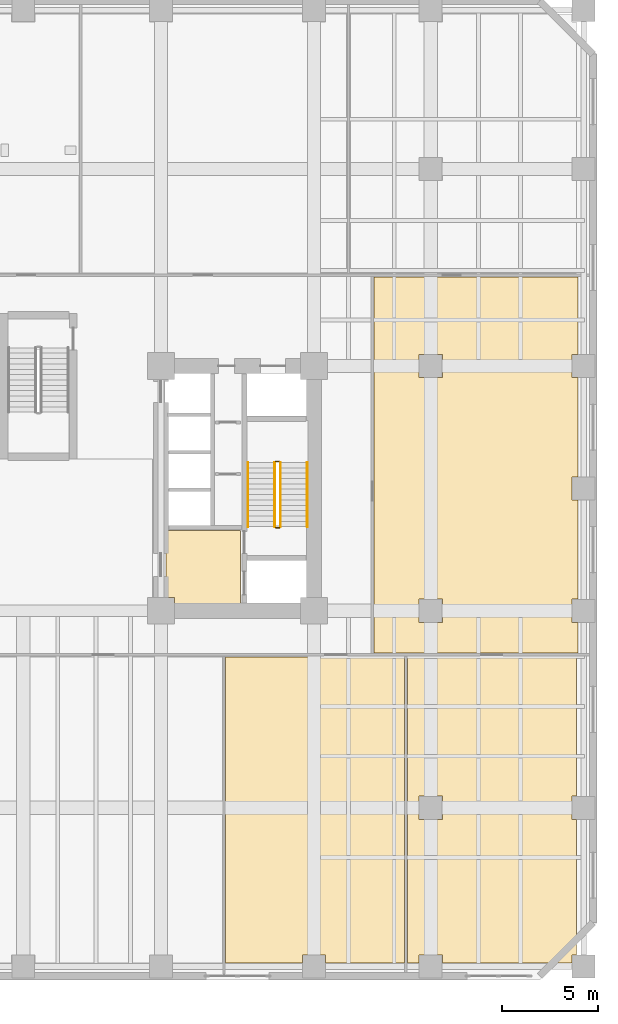
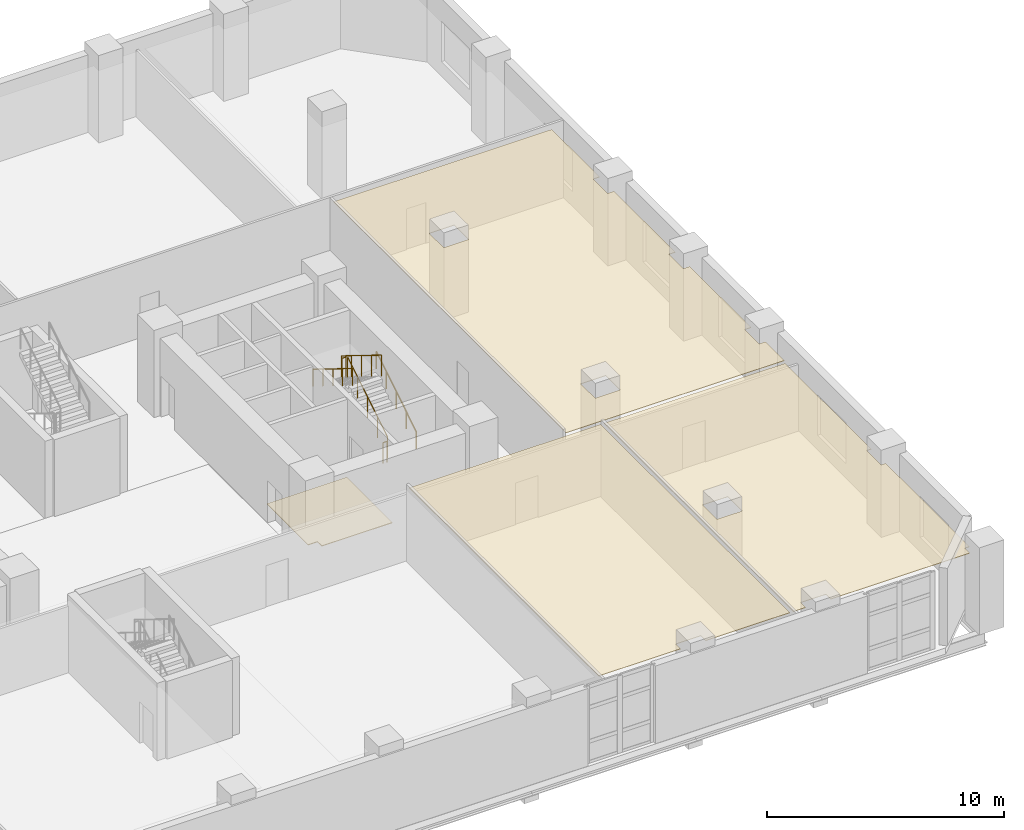
# One storey, part 12 of 15: 6 railings, 4 coverings.
"""IFC4 building model written with IfcOpenShell, lengths in metres."""

from ifc_helpers import new_model, si_unit, direction, frame, origin, origin_2d, place, context, subcontext, project, spatial, polyline, circle, outline, extrude, material, layer, layer_set, type_object, element, save


model = new_model("IFC4")

# Units and contexts
model_context = context("Model", 3, precision=1e-05, world=origin(), true_north=direction((0.0, 1.0)))
body_context = subcontext(model_context, "Body", "Model", "MODEL_VIEW")
ifc_project = project(units=[si_unit("LENGTHUNIT", "METRE"), si_unit("AREAUNIT", "SQUARE_METRE"), si_unit("VOLUMEUNIT", "CUBIC_METRE"), si_unit("PLANEANGLEUNIT", "RADIAN"), si_unit("MASSUNIT", "GRAM", prefix="KILO")], contexts=[model_context])

# Site, building, storey
site_placement = place(None, origin())
site = spatial("IfcSite", under=ifc_project, at=site_placement, CompositionType="ELEMENT")
building_placement = place(site_placement, origin())
building = spatial("IfcBuilding", under=site, at=building_placement, Name="Kranthara Brick Stack", CompositionType="ELEMENT")
storey_placement = place(building_placement, frame((0.0, 0.0, 14.39990234375)))
storey = spatial("IfcBuildingStorey", under=building, at=storey_placement, Name="L03", CompositionType="ELEMENT", Elevation=14.39990234375)

# Coverings
ifc_material_1 = material(Name="Perforated mineral-fibre acoustic ceiling tile", Category="other")
ifc_layer_1 = layer(ifc_material_1, 0.02490234375)
ifc_layer_set_1 = layer_set([ifc_layer_1], Name="Perforated mineral-fibre acoustic ceiling tile")
covering_type_1 = type_object("IfcCoveringType", Name="COV-CEIL-ACOUSTIC", PredefinedType="CEILING", material=ifc_layer_set_1)
covering_1_placement = place(storey_placement, frame((0.0, 0.0, 3.72998046875)))
element("IfcCovering", 1, at=covering_1_placement, inside=storey, type_object=covering_type_1, Name="L03 Reading Library Lounge Acoustic Ceiling", PredefinedType="CEILING", context=body_context, shape_type="SweptSolid", body=[
    extrude(outline(polyline([(38.580078125, 2.39990234375), (38.580078125, 18.39990234375), (47.919921875, 18.39990234375), (47.919921875, 2.39990234375), (43.81005859375, 2.39990234375), (43.81005859375, 2.81005859375), (42.590087890625, 2.81005859375), (42.590087890625, 2.39990234375), (38.580078125, 2.39990234375)])), origin(), (0.0, 0.0, 1.0), 0.025146484375),
])
covering_2_placement = place(storey_placement, frame((0.0, 0.0, 3.72998046875)))
element("IfcCovering", 2, at=covering_2_placement, inside=storey, type_object=covering_type_1, Name="L03 Briefing Forum Acoustic Ceiling", PredefinedType="CEILING", context=body_context, shape_type="SweptSolid", body=[
    extrude(outline(polyline([(56.919921875, 11.110107421875), (56.68994140625, 11.110107421875), (56.68994140625, 9.889892578125), (56.919921875, 9.889892578125), (56.919921875, 2.81005859375), (56.68994140625, 2.81005859375), (56.68994140625, 2.39990234375), (49.909912109375, 2.39990234375), (49.909912109375, 2.81005859375), (48.68994140625, 2.81005859375), (48.68994140625, 2.39990234375), (48.080078125, 2.39990234375), (48.080078125, 18.39990234375), (56.919921875, 18.39990234375), (56.919921875, 11.110107421875)]), holes=[polyline([(49.909912109375, 11.110107421875), (48.68994140625, 11.110107421875), (48.68994140625, 9.889892578125), (49.909912109375, 9.889892578125), (49.909912109375, 11.110107421875)])]), origin(), (0.0, 0.0, 1.0), 0.025146484375),
])
covering_3_placement = place(storey_placement, frame((0.0, 0.0, 3.72998046875)))
element("IfcCovering", 3, at=covering_3_placement, inside=storey, type_object=covering_type_1, Name="L03 East Perimeter Office Studio Acoustic Ceiling", PredefinedType="CEILING", context=body_context, shape_type="SweptSolid", body=[
    extrude(outline(polyline([(57.0, 34.2099609375), (56.68994140625, 34.2099609375), (56.68994140625, 32.989990234375), (57.0, 32.989990234375), (57.0, 27.81005859375), (56.68994140625, 27.81005859375), (56.68994140625, 26.590087890625), (57.0, 26.590087890625), (57.0, 21.409912109375), (56.68994140625, 21.409912109375), (56.68994140625, 20.18994140625), (57.0, 20.18994140625), (57.0, 18.60009765625), (46.35009765625, 18.60009765625), (46.35009765625, 38.25), (57.0, 38.25), (57.0, 34.2099609375)]), holes=[polyline([(48.68994140625, 21.409912109375), (48.68994140625, 20.18994140625), (49.909912109375, 20.18994140625), (49.909912109375, 21.409912109375), (48.68994140625, 21.409912109375)]), polyline([(49.909912109375, 34.2099609375), (48.68994140625, 34.2099609375), (48.68994140625, 32.989990234375), (49.909912109375, 32.989990234375), (49.909912109375, 34.2099609375)])]), origin(), (0.0, 0.0, 1.0), 0.025146484375),
])
ifc_material_2 = material(Name="Honed terrazzo and porcelain floor finish", Category="stone")
ifc_layer_2 = layer(ifc_material_2, 0.030029296875)
ifc_layer_set_2 = layer_set([ifc_layer_2], Name="Honed terrazzo and porcelain floor finish")
covering_type_2 = type_object("IfcCoveringType", Name="COV-FLOR-STONE", PredefinedType="FLOORING", material=ifc_layer_set_2)
covering_4_placement = place(storey_placement, origin())
element("IfcCovering", 4, at=covering_4_placement, inside=storey, type_object=covering_type_2, Name="L03 Lift Lobby Stone Flooring", PredefinedType="FLOORING", context=body_context, shape_type="SweptSolid", body=[
    extrude(outline(polyline([(35.449951171875, 25.0), (39.35009765625, 25.0), (39.35009765625, 21.14990234375), (35.909912109375, 21.14990234375), (35.909912109375, 21.510009765625), (35.449951171875, 21.510009765625), (35.449951171875, 25.0)])), origin(), (0.0, 0.0, 1.0), 0.030029296875),
])

# Railings
ifc_material_3 = material(Name="Painted galvanized steel stair guardrail", Category="steel")
railing_type_1 = type_object("IfcRailingType", Name="RL-STAIR-GUARD-1100", PredefinedType="GUARDRAIL", material=ifc_material_3)
railing_1_placement = place(storey_placement, frame((41.449951171875, 25.199951171875, 0.173095703125)))
element("IfcRailing", 5, at=railing_1_placement, inside=storey, type_object=railing_type_1, Name="L03 ST02 stair guard 1", PredefinedType="GUARDRAIL", context=body_context, shape_type="SweptSolid", body=[
    extrude(circle(Radius=0.02392578125, at=origin_2d()), frame((0.0, 0.0, 1.076171875), z_axis=(0.0, 0.850623216509, 0.525775754039), x_axis=(-1.0, 0.0, 0.0)), (0.0, 0.0, 1.0), 3.9501953125),
    extrude(circle(Radius=0.02099609375, at=origin_2d()), origin(), (0.0, 0.0, 1.0), 1.052001953125),
    extrude(circle(Radius=0.02099609375, at=origin_2d()), frame((0.0, 0.840087890625, 0.519287109375)), (0.0, 0.0, 1.0), 1.052001953125),
    extrude(circle(Radius=0.02099609375, at=origin_2d()), frame((0.0, 1.68017578125, 1.03857421875)), (0.0, 0.0, 1.0), 1.052001953125),
    extrude(circle(Radius=0.02099609375, at=origin_2d()), frame((0.0, 2.52001953125, 1.5576171875)), (0.0, 0.0, 1.0), 1.052001953125),
    extrude(circle(Radius=0.02099609375, at=origin_2d()), frame((0.0, 3.360107421875, 2.076904296875)), (0.0, 0.0, 1.0), 1.052001953125),
])
railing_2_placement = place(storey_placement, frame((41.39990234375, 28.610107421875, 2.25)))
element("IfcRailing", 6, at=railing_2_placement, inside=storey, type_object=railing_type_1, Name="L03 ST02 stair guard 2", PredefinedType="GUARDRAIL", context=body_context, shape_type="SweptSolid", body=[
    extrude(circle(Radius=0.02392578125, at=origin_2d()), frame((0.0, 0.0, 1.076171875), z_axis=(-1.0, 0.0, 0.0), x_axis=(0.0, -1.0, 0.0)), (0.0, 0.0, 1.0), 0.199951171875),
    extrude(circle(Radius=0.02099609375, at=origin_2d()), origin(), (0.0, 0.0, 1.0), 1.052001953125),
    extrude(circle(Radius=0.02099609375, at=origin_2d()), frame((-0.199951171875, 0.0, 0.0)), (0.0, 0.0, 1.0), 1.052001953125),
])
railing_3_placement = place(storey_placement, frame((41.14990234375, 28.56005859375, 2.423095703125)))
element("IfcRailing", 7, at=railing_3_placement, inside=storey, type_object=railing_type_1, Name="L03 ST02 stair guard 3", PredefinedType="GUARDRAIL", context=body_context, shape_type="SweptSolid", body=[
    extrude(circle(Radius=0.02392578125, at=origin_2d()), frame((0.0, 0.0, 1.076171875), z_axis=(0.0, -0.850623216509, 0.525775754039), x_axis=(1.0, 0.0, 0.0)), (0.0, 0.0, 1.0), 3.9501953125),
    extrude(circle(Radius=0.02099609375, at=origin_2d()), origin(), (0.0, 0.0, 1.0), 1.052001953125),
    extrude(circle(Radius=0.02099609375, at=origin_2d()), frame((0.0, -0.840087890625, 0.519287109375)), (0.0, 0.0, 1.0), 1.052001953125),
    extrude(circle(Radius=0.02099609375, at=origin_2d()), frame((0.0, -1.68017578125, 1.03857421875)), (0.0, 0.0, 1.0), 1.052001953125),
    extrude(circle(Radius=0.02099609375, at=origin_2d()), frame((0.0, -2.52001953125, 1.5576171875)), (0.0, 0.0, 1.0), 1.052001953125),
    extrude(circle(Radius=0.02099609375, at=origin_2d()), frame((0.0, -3.360107421875, 2.076904296875)), (0.0, 0.0, 1.0), 1.052001953125),
])
railing_4_placement = place(storey_placement, frame((41.39990234375, 25.14990234375, 0.0)))
element("IfcRailing", 8, at=railing_4_placement, inside=storey, type_object=railing_type_1, Name="L03 ST02 stair guard 4", PredefinedType="GUARDRAIL", context=body_context, shape_type="SweptSolid", body=[
    extrude(circle(Radius=0.02392578125, at=origin_2d()), frame((0.0, 0.0, 1.076171875), z_axis=(-1.0, 0.0, 0.0), x_axis=(0.0, -1.0, 0.0)), (0.0, 0.0, 1.0), 0.199951171875),
    extrude(circle(Radius=0.02099609375, at=origin_2d()), origin(), (0.0, 0.0, 1.0), 1.052001953125),
    extrude(circle(Radius=0.02099609375, at=origin_2d()), frame((-0.199951171875, 0.0, 0.0)), (0.0, 0.0, 1.0), 1.052001953125),
])
ifc_material_4 = material(Name="Brushed stainless steel tubular handrail", Category="steel")
railing_type_2 = type_object("IfcRailingType", Name="RL-STAIR-HAND-900", PredefinedType="HANDRAIL", material=ifc_material_4)
railing_5_placement = place(storey_placement, frame((42.85009765625, 25.199951171875, 0.173095703125)))
element("IfcRailing", 9, at=railing_5_placement, inside=storey, type_object=railing_type_2, Name="L03 ST02 stair handrail 1", PredefinedType="HANDRAIL", context=body_context, shape_type="SweptSolid", body=[
    extrude(circle(Radius=0.02392578125, at=origin_2d()), frame((0.0, 0.0, 0.8759765625), z_axis=(0.0, 0.850623216509, 0.525775754039), x_axis=(-1.0, 0.0, 0.0)), (0.0, 0.0, 1.0), 3.9501953125),
    extrude(circle(Radius=0.02099609375, at=origin_2d()), origin(), (0.0, 0.0, 1.0), 0.851806640625),
    extrude(circle(Radius=0.02099609375, at=origin_2d()), frame((0.0, 0.840087890625, 0.519287109375)), (0.0, 0.0, 1.0), 0.851806640625),
    extrude(circle(Radius=0.02099609375, at=origin_2d()), frame((0.0, 1.68017578125, 1.03857421875)), (0.0, 0.0, 1.0), 0.851806640625),
    extrude(circle(Radius=0.02099609375, at=origin_2d()), frame((0.0, 2.52001953125, 1.5576171875)), (0.0, 0.0, 1.0), 0.851806640625),
    extrude(circle(Radius=0.02099609375, at=origin_2d()), frame((0.0, 3.360107421875, 2.076904296875)), (0.0, 0.0, 1.0), 0.851806640625),
])
railing_6_placement = place(storey_placement, frame((39.75, 28.56005859375, 2.423095703125)))
element("IfcRailing", 10, at=railing_6_placement, inside=storey, type_object=railing_type_2, Name="L03 ST02 stair handrail 2", PredefinedType="HANDRAIL", context=body_context, shape_type="SweptSolid", body=[
    extrude(circle(Radius=0.02392578125, at=origin_2d()), frame((0.0, 0.0, 0.8759765625), z_axis=(0.0, -0.850623216509, 0.525775754039), x_axis=(1.0, 0.0, 0.0)), (0.0, 0.0, 1.0), 3.9501953125),
    extrude(circle(Radius=0.02099609375, at=origin_2d()), origin(), (0.0, 0.0, 1.0), 0.851806640625),
    extrude(circle(Radius=0.02099609375, at=origin_2d()), frame((0.0, -0.840087890625, 0.519287109375)), (0.0, 0.0, 1.0), 0.851806640625),
    extrude(circle(Radius=0.02099609375, at=origin_2d()), frame((0.0, -1.68017578125, 1.03857421875)), (0.0, 0.0, 1.0), 0.851806640625),
    extrude(circle(Radius=0.02099609375, at=origin_2d()), frame((0.0, -2.52001953125, 1.5576171875)), (0.0, 0.0, 1.0), 0.851806640625),
    extrude(circle(Radius=0.02099609375, at=origin_2d()), frame((0.0, -3.360107421875, 2.076904296875)), (0.0, 0.0, 1.0), 0.851806640625),
])

save(model, "model.ifc")
